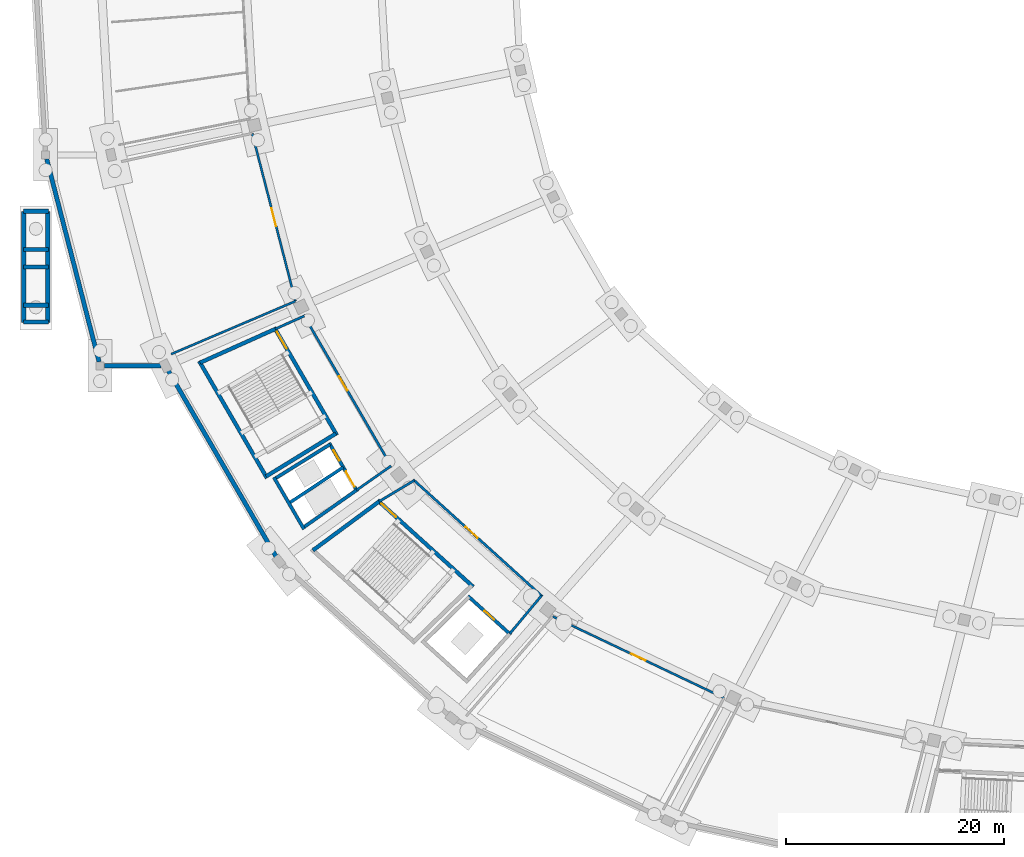
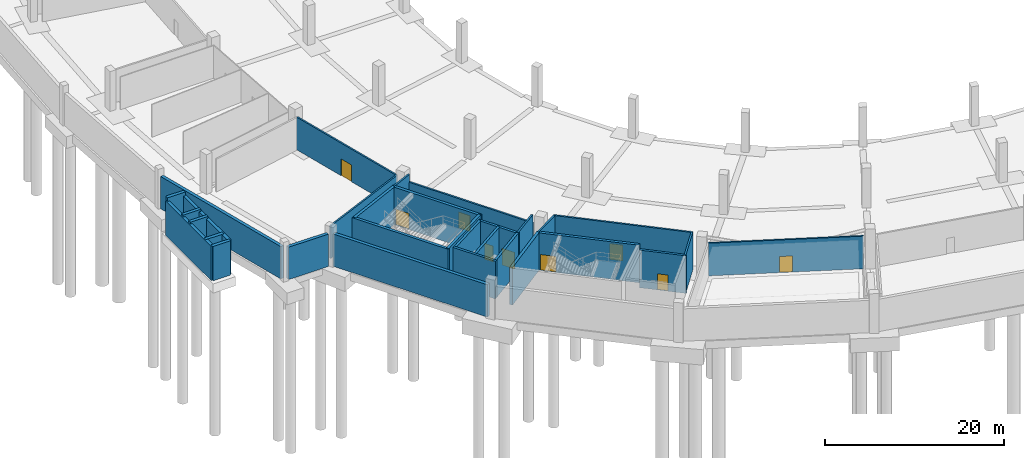
# One storey, part 10 of 49: 31 walls, 9 doors, 9 openings.
"""IFC4 building model written with IfcOpenShell, lengths in metres."""

import ifcopenshell
import ifcopenshell.guid

model = None  # the IFC model being written
_history = None  # IfcOwnerHistory: only IFC2X3 demands one
_inside = {}  # id of a spatial element -> (the spatial element, [elements in it])
_under = {}  # id of a project, library or spatial element -> (it, [spatial elements below it])
_declared = {}  # id of a project -> (the project, [libraries it declares])
_typed = {}  # id of a type object -> (the type object, [elements of that type])
_made_of = {}  # id of a material, layer set ... -> (it, [elements and type objects made of it])


def new_model(schema):
    """Start an empty IFC model of exactly this schema.

    Asked for "IFC4X3", IfcOpenShell would pick the latest addendum, in which some entities
    have other attributes; the version numbers below select the first issue.
    IFC2X3 requires an IfcOwnerHistory on every rooted entity: one is made here for all.
    """
    global model, _history
    if schema == "IFC4X3":
        model = ifcopenshell.file(schema_version=(4, 3, 0, 0))
    else:
        model = ifcopenshell.file(schema=schema)
    _inside.clear()
    _under.clear()
    _declared.clear()
    _typed.clear()
    _made_of.clear()
    _history = None
    if model.schema == "IFC2X3":
        org = make("IfcOrganization", Name="unknown")
        user = make(
            "IfcPersonAndOrganization",
            ThePerson=make("IfcPerson", FamilyName="unknown"),
            TheOrganization=org,
        )
        app = make(
            "IfcApplication",
            ApplicationDeveloper=org,
            Version="unknown",
            ApplicationFullName="unknown",
            ApplicationIdentifier="unknown",
        )
        _history = make(
            "IfcOwnerHistory",
            OwningUser=user,
            OwningApplication=app,
            ChangeAction="ADDED",
            CreationDate=0,
        )
    return model


def make(cls, **values):
    """One entity of the class cls with the attributes given. An attribute that is None is left unset."""
    return model.create_entity(
        cls, **{name: value for name, value in values.items() if value is not None}
    )


def rooted(cls, **values):
    """An entity with a GlobalId (a new one), such as an element, a storey or a relation."""
    return make(cls, GlobalId=ifcopenshell.guid.new(), OwnerHistory=_history, **values)


def si_unit(unit_type, name, prefix=None):
    """IfcSIUnit, for example si_unit("LENGTHUNIT", "METRE", prefix="MILLI")."""
    return make("IfcSIUnit", UnitType=unit_type, Prefix=prefix, Name=name)


def assignment(units):
    """IfcUnitAssignment: the units of a project."""
    return None if units is None else make("IfcUnitAssignment", Units=units)


def point(xyz):
    """IfcCartesianPoint."""
    return None if xyz is None else make("IfcCartesianPoint", Coordinates=xyz)


def direction(xyz):
    """IfcDirection."""
    return None if xyz is None else make("IfcDirection", DirectionRatios=xyz)


def frame(location, z_axis=None, x_axis=None):
    """IfcAxis2Placement3D, a coordinate frame: its origin and axes. An axis left out is left unset."""
    return make(
        "IfcAxis2Placement3D",
        Location=point(location),
        Axis=direction(z_axis),
        RefDirection=direction(x_axis),
    )


def frame_2d(location, x_axis=None):
    """IfcAxis2Placement2D, a coordinate frame in the plane: its origin and x axis."""
    return make(
        "IfcAxis2Placement2D", Location=point(location), RefDirection=direction(x_axis)
    )


def origin():
    """The frame at (0, 0, 0) with its axes left unset."""
    return frame((0.0, 0.0, 0.0))


def place(relative_to, where):
    """IfcLocalPlacement: puts the frame where relative to a parent placement (None: the world)."""
    return make(
        "IfcLocalPlacement", PlacementRelTo=relative_to, RelativePlacement=where
    )


def context(
    kind, dimensions, precision=None, world=None, true_north=None, identifier=None
):
    """IfcGeometricRepresentationContext, for example the 3D "Model" context."""
    return make(
        "IfcGeometricRepresentationContext",
        ContextIdentifier=identifier,
        ContextType=kind,
        CoordinateSpaceDimension=dimensions,
        Precision=precision,
        WorldCoordinateSystem=world,
        TrueNorth=true_north,
    )


def subcontext(parent, identifier, kind, view, scale=None):
    """IfcGeometricRepresentationSubContext, for example "Body" below "Model"."""
    return make(
        "IfcGeometricRepresentationSubContext",
        ContextIdentifier=identifier,
        ContextType=kind,
        ParentContext=parent,
        TargetScale=scale,
        TargetView=view,
    )


def project(units=None, contexts=None):
    """IfcProject with its units and contexts."""
    return rooted(
        "IfcProject",
        Name="project",
        RepresentationContexts=contexts,
        UnitsInContext=assignment(units),
    )


def spatial(cls, under=None, at=None, **own):
    """A site, building, storey or space (cls), placed at a placement, below another one or the project."""
    s = rooted(cls, ObjectPlacement=at, **own)
    if under is not None:
        _under.setdefault(under.id(), (under, []))[1].append(s)
    return s


def profile(cls, at=None, kind="AREA", **sizes):
    """A parametric profile (cls). Its sizes go by their IFC names, for example OverallWidth=200.0."""
    return make(cls, ProfileType=kind, Position=at, **sizes)


def rectangle(**sizes):
    """IfcRectangleProfileDef."""
    return profile("IfcRectangleProfileDef", **sizes)


def extrude(swept, where, along, depth):
    """IfcExtrudedAreaSolid: the profile swept, set in the frame where, extruded along a direction by depth."""
    return make(
        "IfcExtrudedAreaSolid",
        SweptArea=swept,
        Position=where,
        ExtrudedDirection=direction(along),
        Depth=depth,
    )


def shape(context_of_items, identifier, shape_type, items):
    """IfcShapeRepresentation: the items that make up one representation, for example the "Body"."""
    return make(
        "IfcShapeRepresentation",
        ContextOfItems=context_of_items,
        RepresentationIdentifier=identifier,
        RepresentationType=shape_type,
        Items=items,
    )


def material(Name=None, Category=None):
    """IfcMaterial."""
    return make("IfcMaterial", Name=Name, Category=Category)


def layer(
    of_material, thickness, ventilated=None, Name=None, Category=None, Priority=None
):
    """IfcMaterialLayer: one layer of a wall or slab, of a material (None: an air gap)."""
    return make(
        "IfcMaterialLayer",
        Material=of_material,
        LayerThickness=thickness,
        IsVentilated=ventilated,
        Name=Name,
        Category=Category,
        Priority=Priority,
    )


def layer_set(layers, Name=None):
    """IfcMaterialLayerSet."""
    return make("IfcMaterialLayerSet", MaterialLayers=layers, LayerSetName=Name)


def made_of(thing, what):
    """Note that an element or type object is made of a material, layer set ...; save() writes the relation."""
    if what is not None:
        _made_of.setdefault(what.id(), (what, []))[1].append(thing)
    return thing


def type_object(cls, material=None, **own):
    """A type object (cls), such as IfcWallType, which elements share."""
    return made_of(rooted(cls, **own), material)


def element(
    cls,
    number,
    at=None,
    inside=None,
    cuts=None,
    type_object=None,
    material=None,
    context=None,
    identifier="Body",
    shape_type=None,
    held_by="IfcProductDefinitionShape",
    body=None,
    shapes=None,
    **own,
):
    """One element of the class cls, such as IfcWall. Its Tag is "e" and its number.

    at: its placement. inside: the storey or other place that contains it. cuts: it is an
    opening in that element (IfcRelVoidsElement). A single representation is given by context,
    identifier, shape_type and body (its items); several are given by shapes. held_by: the class
    of the entity that holds the representations. save() writes the other relations.
    """
    e = rooted(cls, Tag="e%d" % number, ObjectPlacement=at, **own)
    if body is not None:
        shapes = [shape(context, identifier, shape_type, body)]
    if shapes is not None:
        e.Representation = make(held_by, Representations=shapes)
    if inside is not None:
        _inside.setdefault(inside.id(), (inside, []))[1].append(e)
    if cuts is not None:
        rooted(
            "IfcRelVoidsElement", RelatingBuildingElement=cuts, RelatedOpeningElement=e
        )
    if type_object is not None:
        _typed.setdefault(type_object.id(), (type_object, []))[1].append(e)
    return made_of(e, material)


def fill(opening, filler):
    """IfcRelFillsElement: the door or window that sits in an opening."""
    return rooted(
        "IfcRelFillsElement",
        RelatingOpeningElement=opening,
        RelatedBuildingElement=filler,
    )


def aggregate(whole, parts):
    """IfcRelAggregates: a whole, such as a stair, and the parts it consists of."""
    return rooted("IfcRelAggregates", RelatingObject=whole, RelatedObjects=parts)


def save(model, path):
    """Write the relations noted so far, then the file.

    IfcRelAggregates (storeys below a building ...), IfcRelContainedInSpatialStructure (elements
    in a storey), IfcRelDefinesByType, IfcRelAssociatesMaterial and IfcRelDeclares: one each for
    every whole, place, type object, material and project.
    """
    for whole, parts in _under.values():
        aggregate(whole, parts)
    for where, things in _inside.values():
        rooted(
            "IfcRelContainedInSpatialStructure",
            RelatedElements=things,
            RelatingStructure=where,
        )
    for kind, things in _typed.values():
        rooted("IfcRelDefinesByType", RelatedObjects=things, RelatingType=kind)
    for what, things in _made_of.values():
        rooted("IfcRelAssociatesMaterial", RelatedObjects=things, RelatingMaterial=what)
    for by, libraries in _declared.values():
        rooted("IfcRelDeclares", RelatingContext=by, RelatedDefinitions=libraries)
    model.write(path)


model = new_model("IFC4")

# Units and contexts
model_context = context("Model", 3, precision=1e-05, world=origin(), true_north=direction((0.0, 1.0)))
body_context = subcontext(model_context, "Body", "Model", "MODEL_VIEW")
ifc_project = project(units=[si_unit("LENGTHUNIT", "METRE"), si_unit("AREAUNIT", "SQUARE_METRE"), si_unit("VOLUMEUNIT", "CUBIC_METRE"), si_unit("PLANEANGLEUNIT", "RADIAN"), si_unit("MASSUNIT", "GRAM", prefix="KILO")], contexts=[model_context])

# Site, building, storey
site_placement = place(None, origin())
site = spatial("IfcSite", under=ifc_project, at=site_placement, CompositionType="ELEMENT")
building_placement = place(site_placement, origin())
building = spatial("IfcBuilding", under=site, at=building_placement, Name="Kazemori Nagisa Stadium", CompositionType="ELEMENT")
storey_placement = place(building_placement, frame((0.0, 0.0, -5.43994140625)))
storey = spatial("IfcBuildingStorey", under=building, at=storey_placement, Name="B1", CompositionType="ELEMENT", Elevation=-5.43994140625)

# Walls
ifc_material_1 = material(Name="Concrete C40/50 (Fc42)", Category="concrete")
ifc_layer_1 = layer(ifc_material_1, 0.39990234375, Name="Concrete C40/50 (Fc42)", Category="concrete")
ifc_layer_set_1 = layer_set([ifc_layer_1], Name="Concrete C40/50 (Fc42)")
wall_type_1 = type_object("IfcWallType", Name="Wall_W-B1-RET-400", PredefinedType="SOLIDWALL", material=ifc_layer_set_1)
wall_1_placement = place(storey_placement, frame((23.214111328125, 82.234375, 0.0), z_axis=(0.0, 0.0, 1.0), x_axis=(0.249965196191, -0.968254822189, 0.0)))
element("IfcWall", 1, at=wall_1_placement, inside=storey, type_object=wall_type_1, Name="Basement perimeter retaining wall B1-16", PredefinedType="SOLIDWALL", context=body_context, shape_type="SweptSolid", body=[
    extrude(rectangle(XDim=19.226318359375, YDim=0.39990234375, at=frame_2d((9.61328125, 0.0))), origin(), (0.0, 0.0, 1.0), 4.419921875),
])
wall_2_placement = place(storey_placement, frame((34.310791015625, 62.9130859375, 0.0), z_axis=(0.0, 0.0, 1.0), x_axis=(0.501609752715, -0.865094015689, 0.0)))
element("IfcWall", 2, at=wall_2_placement, inside=storey, type_object=wall_type_1, Name="Basement perimeter retaining wall B1-17", PredefinedType="SOLIDWALL", context=body_context, shape_type="SweptSolid", body=[
    extrude(rectangle(XDim=19.932373046875, YDim=0.39990234375, at=frame_2d((9.96630859375, 0.0))), origin(), (0.0, 0.0, 1.0), 4.419921875),
])
wall_3_placement = place(storey_placement, frame((33.675048828125, 63.25048828125, 0.0), z_axis=(0.0, 0.0, 1.0), x_axis=(-1.0, 0.0, 0.0)))
element("IfcWall", 3, at=wall_3_placement, inside=storey, type_object=wall_type_1, Name="West grandstand return wall B1-S", PredefinedType="SOLIDWALL", context=body_context, shape_type="SweptSolid", body=[
    extrude(rectangle(XDim=5.179931640625, YDim=0.39990234375, at=frame_2d((2.58984375, 0.0))), origin(), (0.0, 0.0, 1.0), 4.419921875),
])
for number, where, z_axis, x_axis, name in (
    (4, (21.1171875, 67.226318359375, 0.0), (0.0, 0.0, 1.0), (0.0, 1.0, 0.0), "Boulevard ramp cheek wall RP2-W"),
    (5, (23.317138671875, 67.226318359375, 0.0), (0.0, 0.0, 1.0), (0.0, 1.0, 0.0), "Boulevard ramp cheek wall RP2-E"),
):
    element("IfcWall", number, at=place(storey_placement, frame(where, z_axis=z_axis, x_axis=x_axis)), inside=storey, type_object=wall_type_1, Name=name, PredefinedType="SOLIDWALL", context=body_context, shape_type="SweptSolid", body=[
        extrude(rectangle(XDim=10.199951171875, YDim=0.39990234375, at=frame_2d((5.10009765625, 0.0))), origin(), (0.0, 0.0, 1.0), 4.679931640625),
    ])
for number, where, z_axis, x_axis, name in (
    (6, (21.067138671875, 67.2763671875, 0.0), (0.0, 0.0, 1.0), (1.0, 0.0, 0.0), "Boulevard ramp bearing cross wall RP2-1"),
    (7, (21.067138671875, 68.826416015625, 0.0), (0.0, 0.0, 1.0), (1.0, 0.0, 0.0), "Boulevard ramp bearing cross wall RP2-2"),
):
    element("IfcWall", number, at=place(storey_placement, frame(where, z_axis=z_axis, x_axis=x_axis)), inside=storey, type_object=wall_type_1, Name=name, PredefinedType="SOLIDWALL", context=body_context, shape_type="SweptSolid", body=[
        extrude(rectangle(XDim=2.300048828125, YDim=0.39990234375, at=frame_2d((1.14990234375, 0.0))), origin(), (0.0, 0.0, 1.0), 4.68994140625),
    ])
for number, where, z_axis, x_axis, name in (
    (8, (21.067138671875, 72.326416015625, 0.0), (0.0, 0.0, 1.0), (1.0, 0.0, 0.0), "Boulevard ramp bearing cross wall RP2-3"),
    (9, (21.067138671875, 73.92626953125, 0.0), (0.0, 0.0, 1.0), (1.0, 0.0, 0.0), "Boulevard ramp bearing cross wall RP2-4"),
):
    element("IfcWall", number, at=place(storey_placement, frame(where, z_axis=z_axis, x_axis=x_axis)), inside=storey, type_object=wall_type_1, Name=name, PredefinedType="SOLIDWALL", context=body_context, shape_type="SweptSolid", body=[
        extrude(rectangle(XDim=2.300048828125, YDim=0.39990234375, at=frame_2d((1.14990234375, 0.0))), origin(), (0.0, 0.0, 1.0), 4.93994140625),
    ])
wall_4_placement = place(storey_placement, frame((21.067138671875, 77.42626953125, 0.0), z_axis=(0.0, 0.0, 1.0), x_axis=(1.0, 0.0, 0.0)))
element("IfcWall", 10, at=wall_4_placement, inside=storey, type_object=wall_type_1, Name="Boulevard ramp bearing cross wall RP2-5", PredefinedType="SOLIDWALL", context=body_context, shape_type="SweptSolid", body=[
    extrude(rectangle(XDim=2.300048828125, YDim=0.39990234375, at=frame_2d((1.14990234375, 0.0))), origin(), (0.0, 0.0, 1.0), 5.18994140625),
])

# Wall, opening, door
ifc_layer_2 = layer(ifc_material_1, 0.35009765625, Name="Concrete C40/50 (Fc42)", Category="concrete")
ifc_layer_set_2 = layer_set([ifc_layer_2], Name="Concrete C40/50 (Fc42)")
wall_type_2 = type_object("IfcWallType", Name="Wall_W-CORE-350", PredefinedType="SHEAR", material=ifc_layer_set_2)
wall_5_placement = place(storey_placement, frame((44.090087890625, 66.78759765625, 0.0), z_axis=(0.0, 0.0, 1.0), x_axis=(0.501628624814, -0.865083072755, 0.0)))
wall_5 = element("IfcWall", 11, at=wall_5_placement, inside=storey, type_object=wall_type_2, Name="Core stair front shear wall ST09 B1", PredefinedType="SHEAR", context=body_context, shape_type="SweptSolid", body=[
    extrude(rectangle(XDim=11.435302734375, YDim=0.35009765625, at=frame_2d((5.7177734375, 0.0))), origin(), (0.0, 0.0, 1.0), 5.139892578125),
])
opening_1_placement = place(wall_5_placement, frame((0.47509765625, 0.0, 0.0)))
opening_1 = element("IfcOpeningElement", 12, at=opening_1_placement, cuts=wall_5, Name="Opening D-ST-1800", PredefinedType="OPENING", context=body_context, shape_type="SweptSolid", body=[
    extrude(rectangle(XDim=1.800048828125, YDim=2.199951171875, at=frame_2d((0.89990234375, 1.10009765625))), frame((0.0, 0.18505859375, 0.0), z_axis=(0.0, -1.0, 0.0), x_axis=(1.0, 0.0, 0.0)), (0.0, 0.0, 1.0), 0.3701171875),
])
ifc_material_2 = material(Name="Galvanised steel sheet", Category="steel")
door_type_1 = type_object("IfcDoorType", Name="Door_D-ST-1800", OperationType="NOTDEFINED", PredefinedType="DOOR", material=ifc_material_2)
door_1_placement = place(opening_1_placement, frame((1.800048828125, 0.0, 0.0), z_axis=(0.0, 0.0, 1.0), x_axis=(-1.0, 0.0, 0.0)))
door_1 = element("IfcDoor", 13, at=door_1_placement, inside=storey, type_object=door_type_1, Name="Exit stair fire door ST09-B1", OperationType="SINGLE_SWING_RIGHT", OverallHeight=2.199951171875, OverallWidth=1.800048828125, PredefinedType="DOOR", context=body_context, shape_type="SweptSolid", body=[
    extrude(rectangle(XDim=1.800048828125, YDim=2.199951171875, at=frame_2d((0.89990234375, 1.10009765625))), frame((0.0, 0.02490234375, 0.0), z_axis=(0.0, -1.0, 0.0), x_axis=(1.0, 0.0, 0.0)), (0.0, 0.0, 1.0), 0.050048828125),
])
fill(opening_1, door_1)

# Walls
wall_6_placement = place(storey_placement, frame((37.19775390625, 63.6953125, 0.0), z_axis=(0.0, 0.0, 1.0), x_axis=(0.501601740165, -0.865098661577, 0.0)))
element("IfcWall", 14, at=wall_6_placement, inside=storey, type_object=wall_type_2, Name="Core stair rear shear wall ST09 B1", PredefinedType="SHEAR", context=body_context, shape_type="SweptSolid", body=[
    extrude(rectangle(XDim=12.404541015625, YDim=0.35009765625, at=frame_2d((6.2021484375, 0.0))), origin(), (0.0, 0.0, 1.0), 5.139892578125),
])
wall_7_placement = place(storey_placement, frame((44.177978515625, 66.63623046875, 0.0), z_axis=(0.0, 0.0, 1.0), x_axis=(-0.912385324524, -0.409332407212, 0.0)))
element("IfcWall", 15, at=wall_7_placement, inside=storey, type_object=wall_type_2, Name="Core stair left shear wall ST09 B1", PredefinedType="SHEAR", context=body_context, shape_type="SweptSolid", body=[
    extrude(rectangle(XDim=7.554443359375, YDim=0.35009765625, at=frame_2d((3.77734375, 0.0))), origin(), (0.0, 0.0, 1.0), 5.139892578125),
])
wall_8_placement = place(storey_placement, frame((49.738525390625, 57.04638671875, 0.0), z_axis=(0.0, 0.0, 1.0), x_axis=(-0.852334575619, -0.522996913188, 0.0)))
element("IfcWall", 16, at=wall_8_placement, inside=storey, type_object=wall_type_2, Name="Core stair right shear wall ST09 B1", PredefinedType="SHEAR", context=body_context, shape_type="SweptSolid", body=[
    extrude(rectangle(XDim=7.51611328125, YDim=0.35009765625, at=frame_2d((3.758056640625, 0.0))), origin(), (0.0, 0.0, 1.0), 5.139892578125),
])

# Wall, opening, door
wall_9_placement = place(storey_placement, frame((53.561279296875, 50.927978515625, 0.0), z_axis=(0.0, 0.0, 1.0), x_axis=(0.741358227035, -0.671109513572, 0.0)))
wall_9 = element("IfcWall", 17, at=wall_9_placement, inside=storey, type_object=wall_type_2, Name="Core stair front shear wall ST03 B1", PredefinedType="SHEAR", context=body_context, shape_type="SweptSolid", body=[
    extrude(rectangle(XDim=11.82666015625, YDim=0.35009765625, at=frame_2d((5.913330078125, 0.0))), origin(), (0.0, 0.0, 1.0), 5.139892578125),
])
opening_2_placement = place(wall_9_placement, frame((0.47509765625, 0.0, 0.0)))
opening_2 = element("IfcOpeningElement", 18, at=opening_2_placement, cuts=wall_9, Name="Opening D-ST-1800", PredefinedType="OPENING", context=body_context, shape_type="SweptSolid", body=[
    extrude(rectangle(XDim=1.800048828125, YDim=2.199951171875, at=frame_2d((0.89990234375, 1.10009765625))), frame((0.0, 0.18505859375, 0.0), z_axis=(0.0, -1.0, 0.0), x_axis=(1.0, 0.0, 0.0)), (0.0, 0.0, 1.0), 0.3701171875),
])
door_2_placement = place(opening_2_placement, frame((1.800048828125, 0.0, 0.0), z_axis=(0.0, 0.0, 1.0), x_axis=(-1.0, 0.0, 0.0)))
door_2 = element("IfcDoor", 19, at=door_2_placement, inside=storey, type_object=door_type_1, Name="Exit stair fire door ST03-B1", OperationType="SINGLE_SWING_RIGHT", OverallHeight=2.199951171875, OverallWidth=1.800048828125, PredefinedType="DOOR", context=body_context, shape_type="SweptSolid", body=[
    extrude(rectangle(XDim=1.800048828125, YDim=2.199951171875, at=frame_2d((0.89990234375, 1.10009765625))), frame((0.0, 0.02490234375, 0.0), z_axis=(0.0, -1.0, 0.0), x_axis=(1.0, 0.0, 0.0)), (0.0, 0.0, 1.0), 0.050048828125),
])
fill(opening_2, door_2)

# Wall
wall_10_placement = place(storey_placement, frame((53.691162109375, 50.810546875, 0.0), z_axis=(0.0, 0.0, 1.0), x_axis=(-0.804395625347, -0.594093997548, 0.0)))
element("IfcWall", 20, at=wall_10_placement, inside=storey, type_object=wall_type_2, Name="Core stair left shear wall ST03 B1", PredefinedType="SHEAR", context=body_context, shape_type="SweptSolid", body=[
    extrude(rectangle(XDim=7.5341796875, YDim=0.35009765625, at=frame_2d((3.76708984375, 0.0))), origin(), (0.0, 0.0, 1.0), 5.139892578125),
])

# Wall, opening, door
ifc_material_3 = material(Name="Concrete C36/45 (Fc36)", Category="concrete")
ifc_layer_3 = layer(ifc_material_3, 0.219970703125, Name="Concrete C36/45 (Fc36)", Category="concrete")
ifc_layer_set_3 = layer_set([ifc_layer_3], Name="Concrete C36/45 (Fc36)")
wall_type_3 = type_object("IfcWallType", Name="Wall_W-LOBBY-220", PredefinedType="SOLIDWALL", material=ifc_layer_set_3)
wall_11_placement = place(storey_placement, frame((46.773681640625, 67.9208984375, 0.0), z_axis=(0.0, 0.0, 1.0), x_axis=(0.501612626242, -0.865092349518, 0.0)))
wall_11 = element("IfcWall", 21, at=wall_11_placement, inside=storey, type_object=wall_type_3, Name="Core lobby fire wall ST09 B1", PredefinedType="SOLIDWALL", context=body_context, shape_type="SweptSolid", body=[
    extrude(rectangle(XDim=16.110107421875, YDim=0.219970703125, at=frame_2d((8.05517578125, 0.0))), origin(), (0.0, 0.0, 1.0), 4.087890625),
])
opening_3_placement = place(wall_11_placement, frame((6.510986328125, 0.0, 0.0)))
opening_3 = element("IfcOpeningElement", 22, at=opening_3_placement, cuts=wall_11, Name="Opening D-FFL-1500", PredefinedType="OPENING", context=body_context, shape_type="SweptSolid", body=[
    extrude(rectangle(XDim=1.5, YDim=2.199951171875, at=frame_2d((0.75, 1.10009765625))), frame((0.0, 0.119873046875, 0.0), z_axis=(0.0, -1.0, 0.0), x_axis=(1.0, 0.0, 0.0)), (0.0, 0.0, 1.0), 0.239990234375),
])
door_type_2 = type_object("IfcDoorType", Name="Door_D-FFL-1500", OperationType="NOTDEFINED", PredefinedType="DOOR", material=ifc_material_2)
door_3_placement = place(opening_3_placement, frame((1.5, 0.0, 0.0), z_axis=(0.0, 0.0, 1.0), x_axis=(-1.0, 0.0, 0.0)))
door_3 = element("IfcDoor", 23, at=door_3_placement, inside=storey, type_object=door_type_2, Name="Protected lobby fire door ST09-B1", OperationType="DOUBLE_DOOR_SINGLE_SWING", OverallHeight=2.199951171875, OverallWidth=1.5, PredefinedType="DOOR", context=body_context, shape_type="SweptSolid", body=[
    extrude(rectangle(XDim=1.5, YDim=2.199951171875, at=frame_2d((0.75, 1.10009765625))), frame((0.0, 0.02490234375, 0.0), z_axis=(0.0, -1.0, 0.0), x_axis=(1.0, 0.0, 0.0)), (0.0, 0.0, 1.0), 0.050048828125),
])
fill(opening_3, door_3)

# Walls
wall_12_placement = place(storey_placement, frame((46.8291015625, 67.82568359375, 0.0), z_axis=(0.0, 0.0, 1.0), x_axis=(-0.912378422162, -0.409347791949, 0.0)))
element("IfcWall", 24, at=wall_12_placement, inside=storey, type_object=wall_type_3, Name="Core lobby left wall ST09 B1", PredefinedType="SOLIDWALL", context=body_context, shape_type="SweptSolid", body=[
    extrude(rectangle(XDim=2.90576171875, YDim=0.219970703125, at=frame_2d((1.452880859375, 0.0))), origin(), (0.0, 0.0, 1.0), 5.139892578125),
])
wall_13_placement = place(storey_placement, frame((54.799560546875, 54.0791015625, 0.0), z_axis=(0.0, 0.0, 1.0), x_axis=(-0.818225400643, -0.574897550649, 0.0)))
element("IfcWall", 25, at=wall_13_placement, inside=storey, type_object=wall_type_3, Name="Core lobby right wall ST09 B1", PredefinedType="SOLIDWALL", context=body_context, shape_type="SweptSolid", body=[
    extrude(rectangle(XDim=3.867919921875, YDim=0.219970703125, at=frame_2d((1.93408203125, 0.0))), origin(), (0.0, 0.0, 1.0), 5.139892578125),
])

# Wall, opening, door
wall_14_placement = place(storey_placement, frame((56.833740234375, 52.8193359375, 0.0), z_axis=(0.0, 0.0, 1.0), x_axis=(0.741351035574, -0.671117457717, 0.0)))
wall_14 = element("IfcWall", 26, at=wall_14_placement, inside=storey, type_object=wall_type_3, Name="Core lobby fire wall ST03 B1", PredefinedType="SOLIDWALL", context=body_context, shape_type="SweptSolid", body=[
    extrude(rectangle(XDim=15.96923828125, YDim=0.219970703125, at=frame_2d((7.984619140625, 0.0))), origin(), (0.0, 0.0, 1.0), 5.139892578125),
])
opening_4_placement = place(wall_14_placement, frame((6.447021484375, 0.0, 0.0)))
opening_4 = element("IfcOpeningElement", 27, at=opening_4_placement, cuts=wall_14, Name="Opening D-FFL-1500", PredefinedType="OPENING", context=body_context, shape_type="SweptSolid", body=[
    extrude(rectangle(XDim=1.5, YDim=2.199951171875, at=frame_2d((0.75, 1.10009765625))), frame((0.0, 0.119873046875, 0.0), z_axis=(0.0, -1.0, 0.0), x_axis=(1.0, 0.0, 0.0)), (0.0, 0.0, 1.0), 0.239990234375),
])
door_4_placement = place(opening_4_placement, frame((1.5, 0.0, 0.0), z_axis=(0.0, 0.0, 1.0), x_axis=(-1.0, 0.0, 0.0)))
door_4 = element("IfcDoor", 28, at=door_4_placement, inside=storey, type_object=door_type_2, Name="Protected lobby fire door ST03-B1", OperationType="DOUBLE_DOOR_SINGLE_SWING", OverallHeight=2.199951171875, OverallWidth=1.5, PredefinedType="DOOR", context=body_context, shape_type="SweptSolid", body=[
    extrude(rectangle(XDim=1.5, YDim=2.199951171875, at=frame_2d((0.75, 1.10009765625))), frame((0.0, 0.02490234375, 0.0), z_axis=(0.0, -1.0, 0.0), x_axis=(1.0, 0.0, 0.0)), (0.0, 0.0, 1.0), 0.050048828125),
])
fill(opening_4, door_4)

# Walls
wall_15_placement = place(storey_placement, frame((56.915283203125, 52.74560546875, 0.0), z_axis=(0.0, 0.0, 1.0), x_axis=(-0.857424171966, -0.514610327654, 0.0)))
element("IfcWall", 29, at=wall_15_placement, inside=storey, type_object=wall_type_3, Name="Core lobby left wall ST03 B1", PredefinedType="SOLIDWALL", context=body_context, shape_type="SweptSolid", body=[
    extrude(rectangle(XDim=3.76025390625, YDim=0.219970703125, at=frame_2d((1.880126953125, 0.0))), origin(), (0.0, 0.0, 1.0), 5.139892578125),
])
wall_16_placement = place(storey_placement, frame((68.591064453125, 42.176025390625, 0.0), z_axis=(0.0, 0.0, 1.0), x_axis=(-0.640759627034, -0.767741558315, 0.0)))
element("IfcWall", 30, at=wall_16_placement, inside=storey, type_object=wall_type_3, Name="Core lobby right wall ST03 B1", PredefinedType="SOLIDWALL", context=body_context, shape_type="SweptSolid", body=[
    extrude(rectangle(XDim=4.549072265625, YDim=0.219970703125, at=frame_2d((2.2744140625, 0.0))), origin(), (0.0, 0.0, 1.0), 5.139892578125),
])

# Wall, opening, door
ifc_material_4 = material(Name="Autoclaved aerated concrete blockwork", Category="masonry")
ifc_layer_4 = layer(ifc_material_4, 0.199951171875, Name="Autoclaved aerated concrete blockwork", Category="masonry")
ifc_layer_set_4 = layer_set([ifc_layer_4], Name="Autoclaved aerated concrete blockwork")
wall_type_4 = type_object("IfcWallType", Name="Wall_W-PART-200", PredefinedType="PARTITIONING", material=ifc_layer_set_4)
wall_17_placement = place(storey_placement, frame((42.0595703125, 84.571533203125, 0.0), z_axis=(0.0, 0.0, 1.0), x_axis=(0.249970043824, -0.968253570709, 0.0)))
wall_17 = element("IfcWall", 31, at=wall_17_placement, inside=storey, type_object=wall_type_4, Name="Room corridor partition B1-B16", PredefinedType="PARTITIONING", context=body_context, shape_type="SweptSolid", body=[
    extrude(rectangle(XDim=15.88671875, YDim=0.199951171875, at=frame_2d((7.943359375, 0.0))), origin(), (0.0, 0.0, 1.0), 4.4599609375),
])
opening_5_placement = place(wall_17_placement, frame((7.10302734375, 0.0, 0.0)))
opening_5 = element("IfcOpeningElement", 32, at=opening_5_placement, cuts=wall_17, Name="Opening D-WRM-1680", PredefinedType="OPENING", context=body_context, shape_type="SweptSolid", body=[
    extrude(rectangle(XDim=1.679931640625, YDim=2.300048828125, at=frame_2d((0.83984375, 1.14990234375))), frame((0.0, 0.10986328125, 0.0), z_axis=(0.0, -1.0, 0.0), x_axis=(1.0, 0.0, 0.0)), (0.0, 0.0, 1.0), 0.219970703125),
])
door_type_3 = type_object("IfcDoorType", Name="Door_D-WRM-1680", OperationType="NOTDEFINED", PredefinedType="DOOR", material=ifc_material_2)
door_5_placement = place(opening_5_placement, origin())
door_5 = element("IfcDoor", 33, at=door_5_placement, inside=storey, type_object=door_type_3, Name="Room entrance door D-WRM-1680 B1-B16", OperationType="DOUBLE_DOOR_SINGLE_SWING", OverallHeight=2.300048828125, OverallWidth=1.679931640625, PredefinedType="DOOR", context=body_context, shape_type="SweptSolid", body=[
    extrude(rectangle(XDim=1.679931640625, YDim=2.300048828125, at=frame_2d((0.83984375, 1.14990234375))), frame((0.0, 0.02490234375, 0.0), z_axis=(0.0, -1.0, 0.0), x_axis=(1.0, 0.0, 0.0)), (0.0, 0.0, 1.0), 0.050048828125),
])
fill(opening_5, door_5)

# Wall
wall_18_placement = place(storey_placement, frame((46.03076171875, 69.189208984375, 0.0), z_axis=(0.0, 0.0, 1.0), x_axis=(-0.919905328402, -0.392140519173, 0.0)))
element("IfcWall", 34, at=wall_18_placement, inside=storey, type_object=wall_type_4, Name="Room radial partition B1-B16-R", PredefinedType="PARTITIONING", context=body_context, shape_type="SweptSolid", body=[
    extrude(rectangle(XDim=12.395751953125, YDim=0.199951171875, at=frame_2d((6.19775390625, 0.0))), origin(), (0.0, 0.0, 1.0), 4.4599609375),
])

# Wall, opening, door
wall_19_placement = place(storey_placement, frame((69.599365234375, 40.280029296875, 0.0), z_axis=(0.0, 0.0, 1.0), x_axis=(0.903217202186, -0.429183743488, 0.0)))
wall_19 = element("IfcWall", 35, at=wall_19_placement, inside=storey, type_object=wall_type_4, Name="Room corridor partition B1-B19", PredefinedType="PARTITIONING", context=body_context, shape_type="SweptSolid", body=[
    extrude(rectangle(XDim=17.419189453125, YDim=0.199951171875, at=frame_2d((8.70947265625, 0.0))), origin(), (0.0, 0.0, 1.0), 4.4599609375),
])
opening_6_placement = place(wall_19_placement, frame((7.985107421875, 0.0, 0.0)))
opening_6 = element("IfcOpeningElement", 36, at=opening_6_placement, cuts=wall_19, Name="Opening D-CHG-1450", PredefinedType="OPENING", context=body_context, shape_type="SweptSolid", body=[
    extrude(rectangle(XDim=1.449951171875, YDim=2.199951171875, at=frame_2d((0.72509765625, 1.10009765625))), frame((0.0, 0.10986328125, 0.0), z_axis=(0.0, -1.0, 0.0), x_axis=(1.0, 0.0, 0.0)), (0.0, 0.0, 1.0), 0.219970703125),
])
door_type_4 = type_object("IfcDoorType", Name="Door_D-CHG-1450", OperationType="NOTDEFINED", PredefinedType="DOOR", material=ifc_material_2)
door_6_placement = place(opening_6_placement, origin())
door_6 = element("IfcDoor", 37, at=door_6_placement, inside=storey, type_object=door_type_4, Name="Room entrance door D-CHG-1450 B1-B19", OperationType="SINGLE_SWING_LEFT", OverallHeight=2.199951171875, OverallWidth=1.449951171875, PredefinedType="DOOR", context=body_context, shape_type="SweptSolid", body=[
    extrude(rectangle(XDim=1.449951171875, YDim=2.199951171875, at=frame_2d((0.72509765625, 1.10009765625))), frame((0.0, 0.02490234375, 0.0), z_axis=(0.0, -1.0, 0.0), x_axis=(1.0, 0.0, 0.0)), (0.0, 0.0, 1.0), 0.050048828125),
])
fill(opening_6, door_6)

# Wall, openings, doors
ifc_layer_5 = layer(ifc_material_1, 0.300048828125, Name="Concrete C40/50 (Fc42)", Category="concrete")
ifc_layer_set_5 = layer_set([ifc_layer_5], Name="Concrete C40/50 (Fc42)")
wall_type_5 = type_object("IfcWallType", Name="Wall_W-SHAFT-300", PredefinedType="SHEAR", material=ifc_layer_set_5)
wall_20_placement = place(storey_placement, frame((49.123046875, 56.1875, 0.0), z_axis=(0.0, 0.0, 1.0), x_axis=(0.501629534056, -0.86508254552, 0.0)))
wall_20 = element("IfcWall", 38, at=wall_20_placement, inside=storey, type_object=wall_type_5, Name="Lift shaft front wall LP7 B1", PredefinedType="SHEAR", context=body_context, shape_type="SweptSolid", body=[
    extrude(rectangle(XDim=5.157470703125, YDim=0.300048828125, at=frame_2d((2.57861328125, 0.0))), origin(), (0.0, 0.0, 1.0), 5.139892578125),
])
opening_7_placement = place(wall_20_placement, frame((0.76611328125, 0.0, 0.0)))
opening_7 = element("IfcOpeningElement", 39, at=opening_7_placement, cuts=wall_20, Name="Opening LD-PAX", PredefinedType="OPENING", context=body_context, shape_type="SweptSolid", body=[
    extrude(rectangle(XDim=1.10009765625, YDim=2.199951171875, at=frame_2d((0.550048828125, 1.10009765625))), frame((0.0, 0.159912109375, 0.0), z_axis=(0.0, -1.0, 0.0), x_axis=(1.0, 0.0, 0.0)), (0.0, 0.0, 1.0), 0.320068359375),
])
opening_8_placement = place(wall_20_placement, frame((3.0419921875, 0.0, 0.0)))
opening_8 = element("IfcOpeningElement", 40, at=opening_8_placement, cuts=wall_20, Name="Opening LD-GDS", PredefinedType="OPENING", context=body_context, shape_type="SweptSolid", body=[
    extrude(rectangle(XDim=1.60009765625, YDim=2.300048828125, at=frame_2d((0.800048828125, 1.14990234375))), frame((0.0, 0.159912109375, 0.0), z_axis=(0.0, -1.0, 0.0), x_axis=(1.0, 0.0, 0.0)), (0.0, 0.0, 1.0), 0.320068359375),
])
ifc_material_5 = material(Name="Stainless steel SUS304", Category="steel")
door_type_5 = type_object("IfcDoorType", Name="Door_LD-GDS", OperationType="SLIDING_TO_LEFT", PredefinedType="DOOR", material=ifc_material_5)
door_7_placement = place(opening_8_placement, origin())
door_7 = element("IfcDoor", 41, at=door_7_placement, inside=storey, type_object=door_type_5, Name="Lift landing door LG2-B1", OperationType="SLIDING_TO_LEFT", OverallHeight=2.300048828125, OverallWidth=1.60009765625, PredefinedType="DOOR", context=body_context, shape_type="SweptSolid", body=[
    extrude(rectangle(XDim=1.60009765625, YDim=2.300048828125, at=frame_2d((0.800048828125, 1.14990234375))), frame((0.0, 0.02490234375, 0.0), z_axis=(0.0, -1.0, 0.0), x_axis=(1.0, 0.0, 0.0)), (0.0, 0.0, 1.0), 0.050048828125),
])
fill(opening_8, door_7)
door_type_6 = type_object("IfcDoorType", Name="Door_LD-PAX", OperationType="SLIDING_TO_RIGHT", PredefinedType="DOOR", material=ifc_material_5)
door_8_placement = place(opening_7_placement, origin())
door_8 = element("IfcDoor", 42, at=door_8_placement, inside=storey, type_object=door_type_6, Name="Lift landing door LP7-B1", OperationType="SLIDING_TO_RIGHT", OverallHeight=2.199951171875, OverallWidth=1.10009765625, PredefinedType="DOOR", context=body_context, shape_type="SweptSolid", body=[
    extrude(rectangle(XDim=1.10009765625, YDim=2.199951171875, at=frame_2d((0.550048828125, 1.10009765625))), frame((0.0, 0.02490234375, 0.0), z_axis=(0.0, -1.0, 0.0), x_axis=(1.0, 0.0, 0.0)), (0.0, 0.0, 1.0), 0.050048828125),
])
fill(opening_7, door_8)

# Walls
wall_21_placement = place(storey_placement, frame((44.05029296875, 53.029541015625, 0.0), z_axis=(0.0, 0.0, 1.0), x_axis=(0.501596987756, -0.865101417103, 0.0)))
element("IfcWall", 43, at=wall_21_placement, inside=storey, type_object=wall_type_5, Name="Lift shaft B wall LP7 B1", PredefinedType="SHEAR", context=body_context, shape_type="SweptSolid", body=[
    extrude(rectangle(XDim=5.4912109375, YDim=0.300048828125, at=frame_2d((2.74560546875, 0.0))), origin(), (0.0, 0.0, 1.0), 5.139892578125),
])
wall_22_placement = place(storey_placement, frame((49.1982421875, 56.0576171875, 0.0), z_axis=(0.0, 0.0, 1.0), x_axis=(-0.848938067893, -0.528492343257, 0.0)))
element("IfcWall", 44, at=wall_22_placement, inside=storey, type_object=wall_type_5, Name="Lift shaft L wall LP7 B1", PredefinedType="SHEAR", context=body_context, shape_type="SweptSolid", body=[
    extrude(rectangle(XDim=5.975341796875, YDim=0.300048828125, at=frame_2d((2.98779296875, 0.0))), origin(), (0.0, 0.0, 1.0), 5.139892578125),
])
wall_23_placement = place(storey_placement, frame((51.634765625, 51.85546875, 0.0), z_axis=(0.0, 0.0, 1.0), x_axis=(-0.818205158105, -0.574926359851, 0.0)))
element("IfcWall", 45, at=wall_23_placement, inside=storey, type_object=wall_type_5, Name="Lift shaft R wall LP7 B1", PredefinedType="SHEAR", context=body_context, shape_type="SweptSolid", body=[
    extrude(rectangle(XDim=5.9951171875, YDim=0.300048828125, at=frame_2d((2.99755859375, 0.0))), origin(), (0.0, 0.0, 1.0), 5.139892578125),
])
wall_24_placement = place(storey_placement, frame((50.41650390625, 53.95654296875, 0.0), z_axis=(0.0, 0.0, 1.0), x_axis=(-0.833878900042, -0.551947443209, 0.0)))
element("IfcWall", 46, at=wall_24_placement, inside=storey, type_object=wall_type_5, Name="Lift shaft divider wall LP7-LG2 B1", PredefinedType="SHEAR", context=body_context, shape_type="SweptSolid", body=[
    extrude(rectangle(XDim=5.98291015625, YDim=0.300048828125, at=frame_2d((2.991455078125, 0.0))), origin(), (0.0, 0.0, 1.0), 5.139892578125),
])

# Wall, opening, door
wall_25_placement = place(storey_placement, frame((61.8369140625, 42.159423828125, 0.0), z_axis=(0.0, 0.0, 1.0), x_axis=(0.741350155641, -0.671118429736, 0.0)))
wall_25 = element("IfcWall", 47, at=wall_25_placement, inside=storey, type_object=wall_type_5, Name="Lift shaft front wall FL3 B1", PredefinedType="SHEAR", context=body_context, shape_type="SweptSolid", body=[
    extrude(rectangle(XDim=5.3291015625, YDim=0.300048828125, at=frame_2d((2.66455078125, 0.0))), origin(), (0.0, 0.0, 1.0), 5.139892578125),
])
opening_9_placement = place(wall_25_placement, frame((2.06494140625, 0.0, 0.0)))
opening_9 = element("IfcOpeningElement", 48, at=opening_9_placement, cuts=wall_25, Name="Opening LD-FF", PredefinedType="OPENING", context=body_context, shape_type="SweptSolid", body=[
    extrude(rectangle(XDim=1.199951171875, YDim=2.199951171875, at=frame_2d((0.60009765625, 1.10009765625))), frame((0.0, 0.159912109375, 0.0), z_axis=(0.0, -1.0, 0.0), x_axis=(1.0, 0.0, 0.0)), (0.0, 0.0, 1.0), 0.320068359375),
])
door_type_7 = type_object("IfcDoorType", Name="Door_LD-FF", OperationType="SLIDING_TO_LEFT", PredefinedType="DOOR", material=ifc_material_5)
door_9_placement = place(opening_9_placement, origin())
door_9 = element("IfcDoor", 49, at=door_9_placement, inside=storey, type_object=door_type_7, Name="Lift landing door FL3-B1", OperationType="SLIDING_TO_LEFT", OverallHeight=2.199951171875, OverallWidth=1.199951171875, PredefinedType="DOOR", context=body_context, shape_type="SweptSolid", body=[
    extrude(rectangle(XDim=1.199951171875, YDim=2.199951171875, at=frame_2d((0.60009765625, 1.10009765625))), frame((0.0, 0.02490234375, 0.0), z_axis=(0.0, -1.0, 0.0), x_axis=(1.0, 0.0, 0.0)), (0.0, 0.0, 1.0), 0.050048828125),
])
fill(opening_9, door_9)

save(model, "model.ifc")
